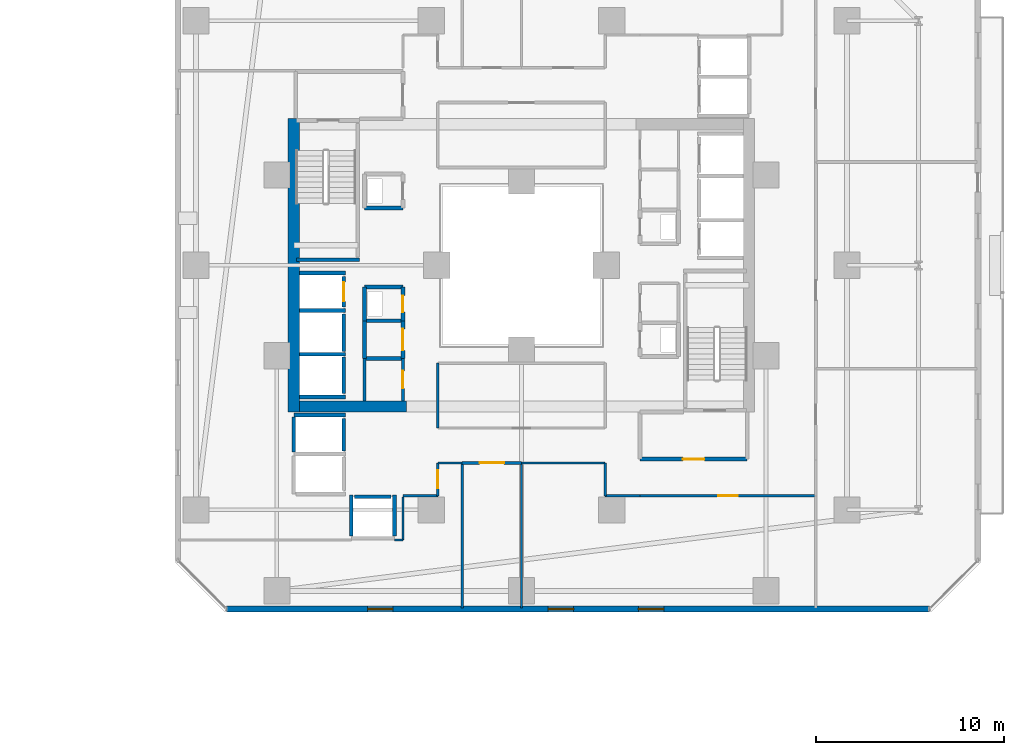
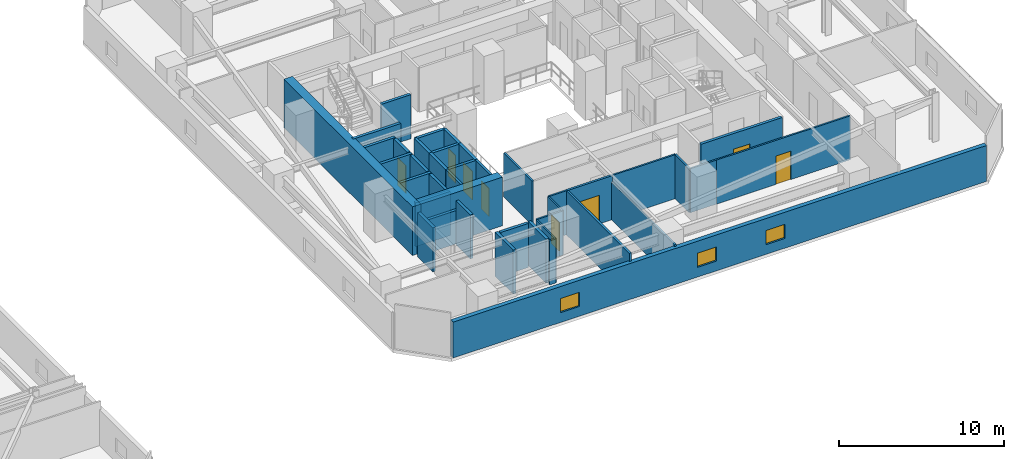
# One storey, part 25 of 36: 41 walls, 8 doors, 3 windows, 11 openings.
"""IFC4 building model written with IfcOpenShell, lengths in metres."""

from ifc_helpers import new_model, si_unit, direction, frame, frame_2d, origin, place, context, subcontext, project, spatial, rectangle, extrude, material, layer, layer_set, type_object, element, fill, save


model = new_model("IFC4")

# Units and contexts
model_context = context("Model", 3, precision=1e-05, world=origin(), true_north=direction((0.0, 1.0)))
body_context = subcontext(model_context, "Body", "Model", "MODEL_VIEW")
ifc_project = project(units=[si_unit("LENGTHUNIT", "METRE"), si_unit("AREAUNIT", "SQUARE_METRE"), si_unit("VOLUMEUNIT", "CUBIC_METRE"), si_unit("PLANEANGLEUNIT", "RADIAN"), si_unit("MASSUNIT", "GRAM", prefix="KILO")], contexts=[model_context])

# Site, building, storey
site_placement = place(None, origin())
site = spatial("IfcSite", under=ifc_project, at=site_placement, CompositionType="ELEMENT")
building_placement = place(site_placement, origin())
building = spatial("IfcBuilding", under=site, at=building_placement, Name="Thornwick Lancets Civic Towers", CompositionType="ELEMENT")
storey_placement = place(building_placement, frame((0.0, 0.0, 68.10009765625)))
storey = spatial("IfcBuildingStorey", under=building, at=storey_placement, Name="L17", CompositionType="ELEMENT", Elevation=68.10009765625)

# Wall, opening, door
ifc_material_1 = material(Name="Concrete blockwork C40/50", Category="masonry")
ifc_layer_1 = layer(ifc_material_1, 0.199951171875, Name="Concrete blockwork C40/50")
ifc_layer_set_1 = layer_set([ifc_layer_1], Name="Concrete blockwork C40/50")
wall_type_1 = type_object("IfcWallType", Name="WALL_COMP_200", PredefinedType="STANDARD", material=ifc_layer_set_1)
wall_1_placement = place(storey_placement, frame((79.050048828125, 24.780029296875, 0.0), z_axis=(0.0, 0.0, 1.0), x_axis=(0.0, 1.0, 0.0)))
wall_1 = element("IfcWall", 1, at=wall_1_placement, inside=storey, type_object=wall_type_1, Name="L17 Hoistway Front Wall FL-B2", PredefinedType="STANDARD", context=body_context, shape_type="SweptSolid", body=[
    extrude(rectangle(XDim=1.639892578125, YDim=0.199951171875, at=frame_2d((0.81982421875, 0.0))), origin(), (0.0, 0.0, 1.0), 3.260009765625),
])
opening_1_placement = place(wall_1_placement, frame((0.31005859375, 0.0, 0.0)))
opening_1 = element("IfcOpeningElement", 2, at=opening_1_placement, cuts=wall_1, Name="Opening LD-FL-B2", PredefinedType="OPENING", context=body_context, shape_type="SweptSolid", body=[
    extrude(rectangle(XDim=1.02001953125, YDim=2.06005859375, at=frame_2d((0.510009765625, 1.030029296875))), frame((0.0, 0.10986328125, 0.0), z_axis=(0.0, -1.0, 0.0), x_axis=(1.0, 0.0, 0.0)), (0.0, 0.0, 1.0), 0.219970703125),
])
ifc_material_2 = material(Name="Brushed bronze stainless steel", Category="steel")
door_type_1 = type_object("IfcDoorType", Name="DOOR_LIFT_SLIDE", OperationType="SLIDING_TO_LEFT", PredefinedType="DOOR", material=ifc_material_2)
door_1_placement = place(opening_1_placement, origin())
door_1 = element("IfcDoor", 3, at=door_1_placement, inside=storey, type_object=door_type_1, Name="L17 Sliding Lift Landing Door LD-FL-B2", OperationType="SLIDING_TO_LEFT", OverallHeight=2.06005859375, OverallWidth=1.02001953125, PredefinedType="DOOR", context=body_context, shape_type="SweptSolid", body=[
    extrude(rectangle(XDim=1.02001953125, YDim=2.06005859375, at=frame_2d((0.510009765625, 1.030029296875))), frame((0.0, 0.02490234375, 0.0), z_axis=(0.0, -1.0, 0.0), x_axis=(1.0, 0.0, 0.0)), (0.0, 0.0, 1.0), 0.050048828125),
])
fill(opening_1, door_1)

# Walls
wall_2_placement = place(storey_placement, frame((79.050048828125, 22.429931640625, 0.0), z_axis=(0.0, 0.0, 1.0), x_axis=(0.0, 1.0, 0.0)))
element("IfcWall", 4, at=wall_2_placement, inside=storey, type_object=wall_type_1, Name="L17 Hoistway Front Wall PL-BH2", PredefinedType="STANDARD", context=body_context, shape_type="SweptSolid", body=[
    extrude(rectangle(XDim=1.989990234375, YDim=0.199951171875, at=frame_2d((0.9951171875, 0.0))), origin(), (0.0, 0.0, 1.0), 3.260009765625),
])
wall_3_placement = place(storey_placement, frame((79.050048828125, 20.179931640625, 0.0), z_axis=(0.0, 0.0, 1.0), x_axis=(0.0, 1.0, 0.0)))
element("IfcWall", 5, at=wall_3_placement, inside=storey, type_object=wall_type_1, Name="L17 Hoistway Front Wall PL-BH3", PredefinedType="STANDARD", context=body_context, shape_type="SweptSolid", body=[
    extrude(rectangle(XDim=1.940185546875, YDim=0.199951171875, at=frame_2d((0.97021484375, 0.0))), origin(), (0.0, 0.0, 1.0), 3.260009765625),
])
wall_4_placement = place(storey_placement, frame((79.050048828125, 17.1298828125, 0.0), z_axis=(0.0, 0.0, 1.0), x_axis=(0.0, 1.0, 0.0)))
element("IfcWall", 6, at=wall_4_placement, inside=storey, type_object=wall_type_1, Name="L17 Hoistway Front Wall PL-BM1", PredefinedType="STANDARD", context=body_context, shape_type="SweptSolid", body=[
    extrude(rectangle(XDim=1.740234375, YDim=0.199951171875, at=frame_2d((0.8701171875, 0.0))), origin(), (0.0, 0.0, 1.0), 3.260009765625),
])
wall_5_placement = place(storey_placement, frame((79.6298828125, 14.699951171875, 0.0), z_axis=(0.0, 0.0, 1.0), x_axis=(1.0, 0.0, 0.0)))
element("IfcWall", 7, at=wall_5_placement, inside=storey, type_object=wall_type_1, Name="L17 Hoistway Front Wall PL-BM3", PredefinedType="STANDARD", context=body_context, shape_type="SweptSolid", body=[
    extrude(rectangle(XDim=1.940185546875, YDim=0.199951171875, at=frame_2d((0.97021484375, 0.0))), origin(), (0.0, 0.0, 1.0), 3.260009765625),
])
for number, where, z_axis, x_axis, name in (
    (8, (76.7119140625, 26.60009765625, 0.0), (0.0, 0.0, 1.0), (1.0, 0.0, 0.0), "L17 Hoistway Shaft Wall FL-B2 N"),
    (9, (76.7119140625, 24.60009765625, 0.0), (0.0, 0.0, 1.0), (1.0, 0.0, 0.0), "L17 Hoistway Shaft Wall FL-B2 S"),
    (10, (76.7119140625, 22.27490234375, 0.0), (0.0, 0.0, 1.0), (1.0, 0.0, 0.0), "L17 Hoistway Shaft Wall PL-BH2 S"),
    (11, (76.7119140625, 20.0, 0.0), (0.0, 0.0, 1.0), (1.0, 0.0, 0.0), "L17 Hoistway Shaft Wall PL-BH3 S"),
):
    element("IfcWall", number, at=place(storey_placement, frame(where, z_axis=z_axis, x_axis=x_axis)), inside=storey, type_object=wall_type_1, Name=name, PredefinedType="STANDARD", context=body_context, shape_type="SweptSolid", body=[
        extrude(rectangle(XDim=2.43603515625, YDim=0.199951171875, at=frame_2d((1.218017578125, 0.0))), origin(), (0.0, 0.0, 1.0), 3.260009765625),
    ])
wall_6_placement = place(storey_placement, frame((76.402099609375, 19.050048828125, 0.0), z_axis=(0.0, 0.0, 1.0), x_axis=(1.0, 0.0, 0.0)))
element("IfcWall", 12, at=wall_6_placement, inside=storey, type_object=wall_type_1, Name="L17 Hoistway Shaft Wall PL-BM1 N", PredefinedType="STANDARD", context=body_context, shape_type="SweptSolid", body=[
    extrude(rectangle(XDim=2.745849609375, YDim=0.199951171875, at=frame_2d((1.373046875, 0.0))), origin(), (0.0, 0.0, 1.0), 2.46484375),
])
wall_7_placement = place(storey_placement, frame((76.39990234375, 17.08203125, 0.0), z_axis=(0.0, 0.0, 1.0), x_axis=(0.0, 1.0, 0.0)))
element("IfcWall", 13, at=wall_7_placement, inside=storey, type_object=wall_type_1, Name="L17 Hoistway Shaft Wall PL-BM1 W", PredefinedType="STANDARD", context=body_context, shape_type="SweptSolid", body=[
    extrude(rectangle(XDim=1.85595703125, YDim=0.199951171875, at=frame_2d((0.927978515625, 0.0))), origin(), (0.0, 0.0, 1.0), 3.260009765625),
])
for number, where, z_axis, x_axis, name in (
    (14, (81.75, 12.612060546875, 0.0), (0.0, 0.0, 1.0), (0.0, 1.0, 0.0), "L17 Hoistway Shaft Wall PL-BM3 E"),
    (15, (79.449951171875, 12.612060546875, 0.0), (0.0, 0.0, 1.0), (0.0, 1.0, 0.0), "L17 Hoistway Shaft Wall PL-BM3 W"),
):
    element("IfcWall", number, at=place(storey_placement, frame(where, z_axis=z_axis, x_axis=x_axis)), inside=storey, type_object=wall_type_1, Name=name, PredefinedType="STANDARD", context=body_context, shape_type="SweptSolid", body=[
        extrude(rectangle(XDim=2.18603515625, YDim=0.199951171875, at=frame_2d((1.093017578125, 0.0))), origin(), (0.0, 0.0, 1.0), 3.260009765625),
    ])

# Wall, opening, door
wall_8_placement = place(storey_placement, frame((94.800048828125, 16.699951171875, 0.0), z_axis=(0.0, 0.0, 1.0), x_axis=(1.0, 0.0, 0.0)))
wall_8 = element("IfcWall", 16, at=wall_8_placement, inside=storey, type_object=wall_type_1, Name="L17 Partition L17-B-FFLOB1 E1", PredefinedType="STANDARD", context=body_context, shape_type="SweptSolid", body=[
    extrude(rectangle(XDim=5.699951171875, YDim=0.199951171875, at=frame_2d((2.85009765625, 0.0))), origin(), (0.0, 0.0, 1.0), 3.260009765625),
])
opening_2_placement = place(wall_8_placement, frame((2.27490234375, 0.0, 0.0)))
opening_2 = element("IfcOpeningElement", 17, at=opening_2_placement, cuts=wall_8, Name="Opening D-L17-0812", PredefinedType="OPENING", context=body_context, shape_type="SweptSolid", body=[
    extrude(rectangle(XDim=1.14990234375, YDim=2.10009765625, at=frame_2d((0.574951171875, 1.050048828125))), frame((0.0, 0.10986328125, 0.0), z_axis=(0.0, -1.0, 0.0), x_axis=(1.0, 0.0, 0.0)), (0.0, 0.0, 1.0), 0.219970703125),
])
ifc_material_3 = material(Name="Glazed fire-resisting steel", Category="steel")
door_type_2 = type_object("IfcDoorType", Name="DOOR_LOBBY_FD60", OperationType="NOTDEFINED", PredefinedType="DOOR", material=ifc_material_3)
door_2_placement = place(opening_2_placement, origin())
door_2 = element("IfcDoor", 18, at=door_2_placement, inside=storey, type_object=door_type_2, Name="L17 East Firefighting Lobby 1 Door", OperationType="SINGLE_SWING_LEFT", OverallHeight=2.10009765625, OverallWidth=1.14990234375, PredefinedType="DOOR", context=body_context, shape_type="SweptSolid", body=[
    extrude(rectangle(XDim=1.14990234375, YDim=2.10009765625, at=frame_2d((0.574951171875, 1.050048828125))), frame((0.0, 0.02490234375, 0.0), z_axis=(0.0, -1.0, 0.0), x_axis=(1.0, 0.0, 0.0)), (0.0, 0.0, 1.0), 0.050048828125),
])
fill(opening_2, door_2)

# Wall
wall_9_placement = place(storey_placement, frame((80.14990234375, 24.050048828125, 0.0), z_axis=(0.0, 0.0, 1.0), x_axis=(1.0, 0.0, 0.0)))
element("IfcWall", 19, at=wall_9_placement, inside=storey, type_object=wall_type_1, Name="L17 Partition L17-B-DUCT2 E1", PredefinedType="STANDARD", context=body_context, shape_type="SweptSolid", body=[
    extrude(rectangle(XDim=2.050048828125, YDim=0.199951171875, at=frame_2d((1.02490234375, 0.0))), origin(), (0.0, 0.0, 1.0), 3.260009765625),
])

# Wall, opening, door
wall_10_placement = place(storey_placement, frame((82.199951171875, 24.050048828125, 0.0), z_axis=(0.0, 0.0, 1.0), x_axis=(0.0, 1.0, 0.0)))
wall_10 = element("IfcWall", 20, at=wall_10_placement, inside=storey, type_object=wall_type_1, Name="L17 Partition L17-B-DUCT2 E2", PredefinedType="STANDARD", context=body_context, shape_type="SweptSolid", body=[
    extrude(rectangle(XDim=1.800048828125, YDim=0.199951171875, at=frame_2d((0.89990234375, 0.0))), origin(), (0.0, 0.0, 1.0), 3.260009765625),
])
opening_3_placement = place(wall_10_placement, frame((0.4599609375, 0.0, 0.0)))
opening_3 = element("IfcOpeningElement", 21, at=opening_3_placement, cuts=wall_10, Name="Opening D-L17-0816", PredefinedType="OPENING", context=body_context, shape_type="SweptSolid", body=[
    extrude(rectangle(XDim=0.8798828125, YDim=2.0400390625, at=frame_2d((0.43994140625, 1.02001953125))), frame((0.0, 0.10986328125, 0.0), z_axis=(0.0, -1.0, 0.0), x_axis=(1.0, 0.0, 0.0)), (0.0, 0.0, 1.0), 0.219970703125),
])
ifc_material_4 = material(Name="Steel riser access doorset", Category="steel")
door_type_3 = type_object("IfcDoorType", Name="DOOR_RISER_850", OperationType="NOTDEFINED", PredefinedType="DOOR", material=ifc_material_4)
door_3_placement = place(opening_3_placement, origin())
door_3 = element("IfcDoor", 22, at=door_3_placement, inside=storey, type_object=door_type_3, Name="L17 West Service Duct 2 Door", OperationType="SINGLE_SWING_LEFT", OverallHeight=2.0400390625, OverallWidth=0.8798828125, PredefinedType="DOOR", context=body_context, shape_type="SweptSolid", body=[
    extrude(rectangle(XDim=0.8798828125, YDim=2.0400390625, at=frame_2d((0.43994140625, 1.02001953125))), frame((0.0, 0.02490234375, 0.0), z_axis=(0.0, -1.0, 0.0), x_axis=(1.0, 0.0, 0.0)), (0.0, 0.0, 1.0), 0.050048828125),
])
fill(opening_3, door_3)

# Walls
wall_11_placement = place(storey_placement, frame((82.199951171875, 25.85009765625, 0.0), z_axis=(0.0, 0.0, 1.0), x_axis=(-1.0, 0.0, 0.0)))
element("IfcWall", 23, at=wall_11_placement, inside=storey, type_object=wall_type_1, Name="L17 Partition L17-B-DUCT2 E3", PredefinedType="STANDARD", context=body_context, shape_type="SweptSolid", body=[
    extrude(rectangle(XDim=2.050048828125, YDim=0.199951171875, at=frame_2d((1.02490234375, 0.0))), origin(), (0.0, 0.0, 1.0), 3.260009765625),
])
wall_12_placement = place(storey_placement, frame((80.14990234375, 25.85009765625, 0.0), z_axis=(0.0, 0.0, 1.0), x_axis=(0.0, -1.0, 0.0)))
element("IfcWall", 24, at=wall_12_placement, inside=storey, type_object=wall_type_1, Name="L17 Partition L17-B-DUCT2 E4", PredefinedType="STANDARD", context=body_context, shape_type="SweptSolid", body=[
    extrude(rectangle(XDim=1.800048828125, YDim=0.199951171875, at=frame_2d((0.89990234375, 0.0))), origin(), (0.0, 0.0, 1.0), 3.260009765625),
])
wall_13_placement = place(storey_placement, frame((80.14990234375, 30.050048828125, 0.0), z_axis=(0.0, 0.0, 1.0), x_axis=(1.0, 0.0, 0.0)))
element("IfcWall", 25, at=wall_13_placement, inside=storey, type_object=wall_type_1, Name="L17 Partition L17-B-RISER2 E1", PredefinedType="STANDARD", context=body_context, shape_type="SweptSolid", body=[
    extrude(rectangle(XDim=2.050048828125, YDim=0.199951171875, at=frame_2d((1.02490234375, 0.0))), origin(), (0.0, 0.0, 1.0), 3.260009765625),
])
wall_14_placement = place(storey_placement, frame((80.14990234375, 22.050048828125, 0.0), z_axis=(0.0, 0.0, 1.0), x_axis=(0.0, 1.0, 0.0)))
element("IfcWall", 26, at=wall_14_placement, inside=storey, type_object=wall_type_1, Name="L17 Partition L17-B-STR E1", PredefinedType="STANDARD", context=body_context, shape_type="SweptSolid", body=[
    extrude(rectangle(XDim=2.0, YDim=0.199951171875, at=frame_2d((1.0, 0.0))), origin(), (0.0, 0.0, 1.0), 3.260009765625),
])

# Wall, opening, door
wall_15_placement = place(storey_placement, frame((82.199951171875, 24.050048828125, 0.0), z_axis=(0.0, 0.0, 1.0), x_axis=(0.0, -1.0, 0.0)))
wall_15 = element("IfcWall", 27, at=wall_15_placement, inside=storey, type_object=wall_type_1, Name="L17 Partition L17-B-STR E3", PredefinedType="STANDARD", context=body_context, shape_type="SweptSolid", body=[
    extrude(rectangle(XDim=2.0, YDim=0.199951171875, at=frame_2d((1.0, 0.0))), origin(), (0.0, 0.0, 1.0), 3.260009765625),
])
opening_4_placement = place(wall_15_placement, frame((0.425048828125, 0.0, 0.0)))
opening_4 = element("IfcOpeningElement", 28, at=opening_4_placement, cuts=wall_15, Name="Opening D-L17-0822", PredefinedType="OPENING", context=body_context, shape_type="SweptSolid", body=[
    extrude(rectangle(XDim=1.14990234375, YDim=2.10009765625, at=frame_2d((0.574951171875, 1.050048828125))), frame((0.0, 0.10986328125, 0.0), z_axis=(0.0, -1.0, 0.0), x_axis=(1.0, 0.0, 0.0)), (0.0, 0.0, 1.0), 0.219970703125),
])
door_4_placement = place(opening_4_placement, origin())
door_4 = element("IfcDoor", 29, at=door_4_placement, inside=storey, type_object=door_type_2, Name="L17 Tower B Core Records Store Door", OperationType="SINGLE_SWING_LEFT", OverallHeight=2.10009765625, OverallWidth=1.14990234375, PredefinedType="DOOR", context=body_context, shape_type="SweptSolid", body=[
    extrude(rectangle(XDim=1.14990234375, YDim=2.10009765625, at=frame_2d((0.574951171875, 1.050048828125))), frame((0.0, 0.02490234375, 0.0), z_axis=(0.0, -1.0, 0.0), x_axis=(1.0, 0.0, 0.0)), (0.0, 0.0, 1.0), 0.050048828125),
])
fill(opening_4, door_4)

# Walls
wall_16_placement = place(storey_placement, frame((82.199951171875, 22.050048828125, 0.0), z_axis=(0.0, 0.0, 1.0), x_axis=(-1.0, 0.0, 0.0)))
element("IfcWall", 30, at=wall_16_placement, inside=storey, type_object=wall_type_1, Name="L17 Partition L17-B-STR E4", PredefinedType="STANDARD", context=body_context, shape_type="SweptSolid", body=[
    extrude(rectangle(XDim=2.050048828125, YDim=0.199951171875, at=frame_2d((1.02490234375, 0.0))), origin(), (0.0, 0.0, 1.0), 3.260009765625),
])
ifc_material_5 = material(Name="Concrete C60/75", Category="concrete")
ifc_layer_2 = layer(ifc_material_5, 0.60009765625, Name="Concrete C60/75")
ifc_layer_set_2 = layer_set([ifc_layer_2], Name="Concrete C60/75")
wall_type_2 = type_object("IfcWallType", Name="WALL_CORE_600", PredefinedType="SHEAR", material=ifc_layer_set_2)
wall_17_placement = place(storey_placement, frame((76.39990234375, 19.199951171875, 0.0), z_axis=(0.0, 0.0, 1.0), x_axis=(0.0, 1.0, 0.0)))
element("IfcWall", 31, at=wall_17_placement, inside=storey, type_object=wall_type_2, Name="L17 Split Core B2 Shear Wall W", PredefinedType="SHEAR", context=body_context, shape_type="SweptSolid", body=[
    extrude(rectangle(XDim=15.60009765625, YDim=0.60009765625, at=frame_2d((7.800048828125, 0.0))), origin(), (0.0, 0.0, 1.0), 3.599853515625),
])
wall_18_placement = place(storey_placement, frame((76.699951171875, 19.5, 0.0), z_axis=(0.0, 0.0, 1.0), x_axis=(1.0, 0.0, 0.0)))
element("IfcWall", 32, at=wall_18_placement, inside=storey, type_object=wall_type_2, Name="L17 Split Core B2 Shear Wall S", PredefinedType="SHEAR", context=body_context, shape_type="SweptSolid", body=[
    extrude(rectangle(XDim=5.699951171875, YDim=0.60009765625, at=frame_2d((2.85009765625, 0.0))), origin(), (0.0, 0.0, 1.0), 3.599853515625),
])

# Wall, openings, windows
ifc_material_6 = material(Name="Insulated russet terracotta rainscreen on concrete C40/50", Category="masonry")
ifc_layer_3 = layer(ifc_material_6, 0.300048828125, Name="Insulated russet terracotta rainscreen on concrete C40/50")
ifc_layer_set_3 = layer_set([ifc_layer_3], Name="Insulated russet terracotta rainscreen on concrete C40/50")
wall_type_3 = type_object("IfcWallType", Name="WALL_EXT_RUSSET_300", PredefinedType="STANDARD", material=ifc_layer_set_3)
wall_19_placement = place(storey_placement, frame((72.81884765625, 8.735107421875, 0.0), z_axis=(0.0, 0.0, 1.0), x_axis=(1.0, 0.0, 0.0)))
wall_19 = element("IfcWall", 33, at=wall_19_placement, inside=storey, type_object=wall_type_3, Name="L17 Tower B Terracotta Facade Wall E0", PredefinedType="STANDARD", context=body_context, shape_type="SweptSolid", body=[
    extrude(rectangle(XDim=37.3623046875, YDim=0.300048828125, at=frame_2d((18.68115234375, 0.0))), origin(), (0.0, 0.0, 1.0), 2.659912109375),
])
opening_5_placement = place(wall_19_placement, frame((7.5, 0.0, 0.719970703125)))
opening_5 = element("IfcOpeningElement", 34, at=opening_5_placement, cuts=wall_19, Name="Opening WL-03", PredefinedType="OPENING", context=body_context, shape_type="SweptSolid", body=[
    extrude(rectangle(XDim=1.35009765625, YDim=1.050048828125, at=frame_2d((0.675048828125, 0.52490234375))), frame((0.0, 0.16015625, 0.0), z_axis=(0.0, -1.0, 0.0), x_axis=(1.0, 0.0, 0.0)), (0.0, 0.0, 1.0), 0.320068359375),
])
opening_6_placement = place(wall_19_placement, frame((17.10009765625, 0.0, 0.719970703125)))
opening_6 = element("IfcOpeningElement", 35, at=opening_6_placement, cuts=wall_19, Name="Opening WL-03", PredefinedType="OPENING", context=body_context, shape_type="SweptSolid", body=[
    extrude(rectangle(XDim=1.35009765625, YDim=1.050048828125, at=frame_2d((0.675048828125, 0.52490234375))), frame((0.0, 0.16015625, 0.0), z_axis=(0.0, -1.0, 0.0), x_axis=(1.0, 0.0, 0.0)), (0.0, 0.0, 1.0), 0.320068359375),
])
opening_7_placement = place(wall_19_placement, frame((21.89990234375, 0.0, 0.719970703125)))
opening_7 = element("IfcOpeningElement", 36, at=opening_7_placement, cuts=wall_19, Name="Opening WL-03", PredefinedType="OPENING", context=body_context, shape_type="SweptSolid", body=[
    extrude(rectangle(XDim=1.35009765625, YDim=1.050048828125, at=frame_2d((0.675048828125, 0.52490234375))), frame((0.0, 0.16015625, 0.0), z_axis=(0.0, -1.0, 0.0), x_axis=(1.0, 0.0, 0.0)), (0.0, 0.0, 1.0), 0.320068359375),
])
ifc_material_7 = material(Name="Clear low-e double glazing clerestory lancet", Category="glass")
window_type = type_object("IfcWindowType", Name="WIN_LANCET_1350", PartitioningType="SINGLE_PANEL", PredefinedType="WINDOW", material=ifc_material_7)
window_1_placement = place(opening_5_placement, origin())
window_1 = element("IfcWindow", 37, at=window_1_placement, inside=storey, type_object=window_type, Name="L17 Tower B Staggered Lancet Window E0-1", OverallHeight=1.050048828125, OverallWidth=1.35009765625, PartitioningType="SINGLE_PANEL", PredefinedType="WINDOW", context=body_context, shape_type="SweptSolid", body=[
    extrude(rectangle(XDim=1.35009765625, YDim=1.050048828125, at=frame_2d((0.675048828125, 0.52490234375))), frame((0.0, 0.030029296875, 0.0), z_axis=(0.0, -1.0, 0.0), x_axis=(1.0, 0.0, 0.0)), (0.0, 0.0, 1.0), 0.06005859375),
])
fill(opening_5, window_1)
window_2_placement = place(opening_6_placement, origin())
window_2 = element("IfcWindow", 38, at=window_2_placement, inside=storey, type_object=window_type, Name="L17 Tower B Staggered Lancet Window E0-2", OverallHeight=1.050048828125, OverallWidth=1.35009765625, PartitioningType="SINGLE_PANEL", PredefinedType="WINDOW", context=body_context, shape_type="SweptSolid", body=[
    extrude(rectangle(XDim=1.35009765625, YDim=1.050048828125, at=frame_2d((0.675048828125, 0.52490234375))), frame((0.0, 0.030029296875, 0.0), z_axis=(0.0, -1.0, 0.0), x_axis=(1.0, 0.0, 0.0)), (0.0, 0.0, 1.0), 0.06005859375),
])
fill(opening_6, window_2)
window_3_placement = place(opening_7_placement, origin())
window_3 = element("IfcWindow", 39, at=window_3_placement, inside=storey, type_object=window_type, Name="L17 Tower B Staggered Lancet Window E0-3", OverallHeight=1.050048828125, OverallWidth=1.35009765625, PartitioningType="SINGLE_PANEL", PredefinedType="WINDOW", context=body_context, shape_type="SweptSolid", body=[
    extrude(rectangle(XDim=1.35009765625, YDim=1.050048828125, at=frame_2d((0.675048828125, 0.52490234375))), frame((0.0, 0.030029296875, 0.0), z_axis=(0.0, -1.0, 0.0), x_axis=(1.0, 0.0, 0.0)), (0.0, 0.0, 1.0), 0.06005859375),
])
fill(opening_7, window_3)

# Walls
ifc_material_8 = material(Name="Acoustic gypsum board partition")
ifc_layer_4 = layer(ifc_material_8, 0.1201171875, Name="Acoustic gypsum board partition")
ifc_layer_set_4 = layer_set([ifc_layer_4], Name="Acoustic gypsum board partition")
wall_type_4 = type_object("IfcWallType", Name="WALL_PART_120", PredefinedType="PARTITIONING", material=ifc_layer_set_4)
wall_20_placement = place(storey_placement, frame((92.949951171875, 16.5, 0.0), z_axis=(0.0, 0.0, 1.0), x_axis=(0.0, -1.0, 0.0)))
element("IfcWall", 40, at=wall_20_placement, inside=storey, type_object=wall_type_4, Name="L17 Partition L17-B-W1 E1", PredefinedType="PARTITIONING", context=body_context, shape_type="SweptSolid", body=[
    extrude(rectangle(XDim=1.75, YDim=0.1201171875, at=frame_2d((0.875, 0.0))), origin(), (0.0, 0.0, 1.0), 3.260009765625),
])
wall_21_placement = place(storey_placement, frame((92.949951171875, 14.75, 0.0), z_axis=(0.0, 0.0, 1.0), x_axis=(1.0, 0.0, 0.0)))
element("IfcWall", 41, at=wall_21_placement, inside=storey, type_object=wall_type_4, Name="L17 Partition L17-B-W1 E2", PredefinedType="PARTITIONING", context=body_context, shape_type="SweptSolid", body=[
    extrude(rectangle(XDim=1.85009765625, YDim=0.1201171875, at=frame_2d((0.925048828125, 0.0))), origin(), (0.0, 0.0, 1.0), 3.260009765625),
])

# Wall, opening, door
wall_22_placement = place(storey_placement, frame((94.800048828125, 14.75, 0.0), z_axis=(0.0, 0.0, 1.0), x_axis=(1.0, 0.0, 0.0)))
wall_22 = element("IfcWall", 42, at=wall_22_placement, inside=storey, type_object=wall_type_4, Name="L17 Partition L17-B-W1 E3", PredefinedType="PARTITIONING", context=body_context, shape_type="SweptSolid", body=[
    extrude(rectangle(XDim=9.349853515625, YDim=0.1201171875, at=frame_2d((4.6748046875, 0.0))), origin(), (0.0, 0.0, 1.0), 3.260009765625),
])
opening_8_placement = place(wall_22_placement, frame((4.14990234375, 0.0, 0.0)))
opening_8 = element("IfcOpeningElement", 43, at=opening_8_placement, cuts=wall_22, Name="Opening D-L17-0834", PredefinedType="OPENING", context=body_context, shape_type="SweptSolid", body=[
    extrude(rectangle(XDim=1.050048828125, YDim=2.10009765625, at=frame_2d((0.52490234375, 1.050048828125))), frame((0.0, 0.070068359375, 0.0), z_axis=(0.0, -1.0, 0.0), x_axis=(1.0, 0.0, 0.0)), (0.0, 0.0, 1.0), 0.14013671875),
])
ifc_material_9 = material(Name="Glazed European oak executive doorset")
door_type_4 = type_object("IfcDoorType", Name="DOOR_OFFICE_1050", OperationType="NOTDEFINED", PredefinedType="DOOR", material=ifc_material_9)
door_5_placement = place(opening_8_placement, origin())
door_5 = element("IfcDoor", 44, at=door_5_placement, inside=storey, type_object=door_type_4, Name="L17 Tower B Ministry Directorate Office W1 Door", OperationType="SINGLE_SWING_LEFT", OverallHeight=2.10009765625, OverallWidth=1.050048828125, PredefinedType="DOOR", context=body_context, shape_type="SweptSolid", body=[
    extrude(rectangle(XDim=1.050048828125, YDim=2.10009765625, at=frame_2d((0.52490234375, 1.050048828125))), frame((0.0, 0.02490234375, 0.0), z_axis=(0.0, -1.0, 0.0), x_axis=(1.0, 0.0, 0.0)), (0.0, 0.0, 1.0), 0.050048828125),
])
fill(opening_8, door_5)

# Walls
wall_23_placement = place(storey_placement, frame((88.5, 8.780029296875, 0.0), z_axis=(0.0, 0.0, 1.0), x_axis=(0.0, 1.0, 0.0)))
element("IfcWall", 45, at=wall_23_placement, inside=storey, type_object=wall_type_4, Name="L17 Partition L17-B-W1 E6", PredefinedType="PARTITIONING", context=body_context, shape_type="SweptSolid", body=[
    extrude(rectangle(XDim=7.719970703125, YDim=0.1201171875, at=frame_2d((3.85986328125, 0.0))), origin(), (0.0, 0.0, 1.0), 2.797607421875),
])
wall_24_placement = place(storey_placement, frame((88.5, 16.5, 0.0), z_axis=(0.0, 0.0, 1.0), x_axis=(1.0, 0.0, 0.0)))
element("IfcWall", 46, at=wall_24_placement, inside=storey, type_object=wall_type_4, Name="L17 Partition L17-B-W1 E7", PredefinedType="PARTITIONING", context=body_context, shape_type="SweptSolid", body=[
    extrude(rectangle(XDim=4.449951171875, YDim=0.1201171875, at=frame_2d((2.22509765625, 0.0))), origin(), (0.0, 0.0, 1.0), 3.260009765625),
])
wall_25_placement = place(storey_placement, frame((82.199951171875, 14.75, 0.0), z_axis=(0.0, 0.0, 1.0), x_axis=(1.0, 0.0, 0.0)))
element("IfcWall", 47, at=wall_25_placement, inside=storey, type_object=wall_type_4, Name="L17 Partition L17-B-W3 E2", PredefinedType="PARTITIONING", context=body_context, shape_type="SweptSolid", body=[
    extrude(rectangle(XDim=1.85009765625, YDim=0.1201171875, at=frame_2d((0.925048828125, 0.0))), origin(), (0.0, 0.0, 1.0), 3.260009765625),
])

# Wall, opening, door
wall_26_placement = place(storey_placement, frame((84.050048828125, 14.75, 0.0), z_axis=(0.0, 0.0, 1.0), x_axis=(0.0, 1.0, 0.0)))
wall_26 = element("IfcWall", 48, at=wall_26_placement, inside=storey, type_object=wall_type_4, Name="L17 Partition L17-B-W3 E3", PredefinedType="PARTITIONING", context=body_context, shape_type="SweptSolid", body=[
    extrude(rectangle(XDim=1.75, YDim=0.1201171875, at=frame_2d((0.875, 0.0))), origin(), (0.0, 0.0, 1.0), 3.260009765625),
])
opening_9_placement = place(wall_26_placement, frame((0.39990234375, 0.0, 0.0)))
opening_9 = element("IfcOpeningElement", 49, at=opening_9_placement, cuts=wall_26, Name="Opening D-L17-0836", PredefinedType="OPENING", context=body_context, shape_type="SweptSolid", body=[
    extrude(rectangle(XDim=0.949951171875, YDim=2.10009765625, at=frame_2d((0.47509765625, 1.050048828125))), frame((0.0, 0.070068359375, 0.0), z_axis=(0.0, -1.0, 0.0), x_axis=(1.0, 0.0, 0.0)), (0.0, 0.0, 1.0), 0.14013671875),
])
ifc_material_10 = material(Name="European oak acoustic doorset")
door_type_5 = type_object("IfcDoorType", Name="DOOR_OFFICE_950", OperationType="NOTDEFINED", PredefinedType="DOOR", material=ifc_material_10)
door_6_placement = place(opening_9_placement, origin())
door_6 = element("IfcDoor", 50, at=door_6_placement, inside=storey, type_object=door_type_5, Name="L17 Tower B Staff Tea Pantry and Lounge Door", OperationType="SINGLE_SWING_LEFT", OverallHeight=2.10009765625, OverallWidth=0.949951171875, PredefinedType="DOOR", context=body_context, shape_type="SweptSolid", body=[
    extrude(rectangle(XDim=0.949951171875, YDim=2.10009765625, at=frame_2d((0.47509765625, 1.050048828125))), frame((0.0, 0.02490234375, 0.0), z_axis=(0.0, -1.0, 0.0), x_axis=(1.0, 0.0, 0.0)), (0.0, 0.0, 1.0), 0.050048828125),
])
fill(opening_9, door_6)

# Walls
wall_27_placement = place(storey_placement, frame((84.050048828125, 16.5, 0.0), z_axis=(0.0, 0.0, 1.0), x_axis=(1.0, 0.0, 0.0)))
element("IfcWall", 51, at=wall_27_placement, inside=storey, type_object=wall_type_4, Name="L17 Partition L17-B-W3 E4", PredefinedType="PARTITIONING", context=body_context, shape_type="SweptSolid", body=[
    extrude(rectangle(XDim=1.300048828125, YDim=0.1201171875, at=frame_2d((0.64990234375, 0.0))), origin(), (0.0, 0.0, 1.0), 3.260009765625),
])
wall_28_placement = place(storey_placement, frame((81.748046875, 12.39990234375, 0.0), z_axis=(0.0, 0.0, 1.0), x_axis=(1.0, 0.0, 0.0)))
element("IfcWall", 52, at=wall_28_placement, inside=storey, type_object=wall_type_4, Name="L17 Partition L17-B-W3 E9", PredefinedType="PARTITIONING", context=body_context, shape_type="SweptSolid", body=[
    extrude(rectangle(XDim=0.451904296875, YDim=0.1201171875, at=frame_2d((0.22607421875, 0.0))), origin(), (0.0, 0.0, 1.0), 3.260009765625),
])
wall_29_placement = place(storey_placement, frame((82.199951171875, 12.39990234375, 0.0), z_axis=(0.0, 0.0, 1.0), x_axis=(0.0, 1.0, 0.0)))
element("IfcWall", 53, at=wall_29_placement, inside=storey, type_object=wall_type_4, Name="L17 Partition L17-B-W3 E10", PredefinedType="PARTITIONING", context=body_context, shape_type="SweptSolid", body=[
    extrude(rectangle(XDim=2.300048828125, YDim=0.1201171875, at=frame_2d((1.14990234375, 0.0))), origin(), (0.0, 0.0, 1.0), 3.260009765625),
])
wall_30_placement = place(storey_placement, frame((84.050048828125, 18.35009765625, 0.0), z_axis=(0.0, 0.0, 1.0), x_axis=(0.0, 1.0, 0.0)))
element("IfcWall", 54, at=wall_30_placement, inside=storey, type_object=wall_type_4, Name="L17 Partition L17-B-ATR-W E1", PredefinedType="PARTITIONING", context=body_context, shape_type="SweptSolid", body=[
    extrude(rectangle(XDim=3.449951171875, YDim=0.1201171875, at=frame_2d((1.72509765625, 0.0))), origin(), (0.0, 0.0, 1.0), 3.260009765625),
])

# Wall, opening, door
ifc_material_11 = material(Name="Twin-stud acoustic gypsum board")
ifc_layer_5 = layer(ifc_material_11, 0.14990234375, Name="Twin-stud acoustic gypsum board")
ifc_layer_set_5 = layer_set([ifc_layer_5], Name="Twin-stud acoustic gypsum board")
wall_type_5 = type_object("IfcWallType", Name="WALL_PART_150", PredefinedType="PARTITIONING", material=ifc_layer_set_5)
wall_31_placement = place(storey_placement, frame((82.199951171875, 19.800048828125, 0.0), z_axis=(0.0, 0.0, 1.0), x_axis=(0.0, 1.0, 0.0)))
wall_31 = element("IfcWall", 55, at=wall_31_placement, inside=storey, type_object=wall_type_5, Name="L17 Partition L17-B-AWC E2", PredefinedType="PARTITIONING", context=body_context, shape_type="SweptSolid", body=[
    extrude(rectangle(XDim=2.25, YDim=0.14990234375, at=frame_2d((1.125, 0.0))), origin(), (0.0, 0.0, 1.0), 3.260009765625),
])
opening_10_placement = place(wall_31_placement, frame((0.6650390625, 0.0, 0.0)))
opening_10 = element("IfcOpeningElement", 56, at=opening_10_placement, cuts=wall_31, Name="Opening D-L17-0821", PredefinedType="OPENING", context=body_context, shape_type="SweptSolid", body=[
    extrude(rectangle(XDim=0.919921875, YDim=2.080078125, at=frame_2d((0.4599609375, 1.0400390625))), frame((0.0, 0.0849609375, 0.0), z_axis=(0.0, -1.0, 0.0), x_axis=(1.0, 0.0, 0.0)), (0.0, 0.0, 1.0), 0.169921875),
])
ifc_material_12 = material(Name="Moisture-resistant oak doorset")
door_type_6 = type_object("IfcDoorType", Name="DOOR_WC_900", OperationType="NOTDEFINED", PredefinedType="DOOR", material=ifc_material_12)
door_7_placement = place(opening_10_placement, origin())
door_7 = element("IfcDoor", 57, at=door_7_placement, inside=storey, type_object=door_type_6, Name="L17 Tower B Accessible WC Door", OperationType="SINGLE_SWING_RIGHT", OverallHeight=2.080078125, OverallWidth=0.919921875, PredefinedType="DOOR", context=body_context, shape_type="SweptSolid", body=[
    extrude(rectangle(XDim=0.919921875, YDim=2.080078125, at=frame_2d((0.4599609375, 1.0400390625))), frame((0.0, 0.02490234375, 0.0), z_axis=(0.0, -1.0, 0.0), x_axis=(1.0, 0.0, 0.0)), (0.0, 0.0, 1.0), 0.050048828125),
])
fill(opening_10, door_7)

# Walls
wall_32_placement = place(storey_placement, frame((80.14990234375, 22.050048828125, 0.0), z_axis=(0.0, 0.0, 1.0), x_axis=(0.0, -1.0, 0.0)))
element("IfcWall", 58, at=wall_32_placement, inside=storey, type_object=wall_type_5, Name="L17 Partition L17-B-AWC E4", PredefinedType="PARTITIONING", context=body_context, shape_type="SweptSolid", body=[
    extrude(rectangle(XDim=2.25, YDim=0.14990234375, at=frame_2d((1.125, 0.0))), origin(), (0.0, 0.0, 1.0), 3.260009765625),
])
wall_33_placement = place(storey_placement, frame((85.35009765625, 8.780029296875, 0.0), z_axis=(0.0, 0.0, 1.0), x_axis=(0.0, 1.0, 0.0)))
element("IfcWall", 59, at=wall_33_placement, inside=storey, type_object=wall_type_5, Name="L17 Partition L17-B-W2 E3", PredefinedType="PARTITIONING", context=body_context, shape_type="SweptSolid", body=[
    extrude(rectangle(XDim=7.719970703125, YDim=0.14990234375, at=frame_2d((3.85986328125, 0.0))), origin(), (0.0, 0.0, 1.0), 3.260009765625),
])

# Wall, opening, door
wall_34_placement = place(storey_placement, frame((85.35009765625, 16.5, 0.0), z_axis=(0.0, 0.0, 1.0), x_axis=(1.0, 0.0, 0.0)))
wall_34 = element("IfcWall", 60, at=wall_34_placement, inside=storey, type_object=wall_type_5, Name="L17 Partition L17-B-W2 E4", PredefinedType="PARTITIONING", context=body_context, shape_type="SweptSolid", body=[
    extrude(rectangle(XDim=3.14990234375, YDim=0.14990234375, at=frame_2d((1.574951171875, 0.0))), origin(), (0.0, 0.0, 1.0), 3.260009765625),
])
opening_11_placement = place(wall_34_placement, frame((0.925048828125, 0.0, 0.0)))
opening_11 = element("IfcOpeningElement", 61, at=opening_11_placement, cuts=wall_34, Name="Opening D-L17-0835", PredefinedType="OPENING", context=body_context, shape_type="SweptSolid", body=[
    extrude(rectangle(XDim=1.300048828125, YDim=2.1201171875, at=frame_2d((0.64990234375, 1.06005859375))), frame((0.0, 0.0849609375, 0.0), z_axis=(0.0, -1.0, 0.0), x_axis=(1.0, 0.0, 0.0)), (0.0, 0.0, 1.0), 0.169921875),
])
ifc_material_13 = material(Name="Acoustic oak leaf-and-a-half doorset")
door_type_7 = type_object("IfcDoorType", Name="DOOR_MEET_1300", OperationType="DOUBLE_DOOR_SINGLE_SWING", PredefinedType="DOOR", material=ifc_material_13)
door_8_placement = place(opening_11_placement, origin())
door_8 = element("IfcDoor", 62, at=door_8_placement, inside=storey, type_object=door_type_7, Name="L17 Tower B Policy Briefing Room W2 Door", OperationType="DOUBLE_DOOR_SINGLE_SWING", OverallHeight=2.1201171875, OverallWidth=1.300048828125, PredefinedType="DOOR", context=body_context, shape_type="SweptSolid", body=[
    extrude(rectangle(XDim=1.300048828125, YDim=2.1201171875, at=frame_2d((0.64990234375, 1.06005859375))), frame((0.0, 0.02490234375, 0.0), z_axis=(0.0, -1.0, 0.0), x_axis=(1.0, 0.0, 0.0)), (0.0, 0.0, 1.0), 0.050048828125),
])
fill(opening_11, door_8)

# Wall
ifc_material_14 = material(Name="Concrete C40/50", Category="concrete")
ifc_layer_6 = layer(ifc_material_14, 0.199951171875, Name="Concrete C40/50")
ifc_layer_set_6 = layer_set([ifc_layer_6], Name="Concrete C40/50")
wall_type_6 = type_object("IfcWallType", Name="WALL_SHAFT_200", PredefinedType="SHEAR", material=ifc_layer_set_6)
wall_35_placement = place(storey_placement, frame((79.89990234375, 27.300048828125, 0.0), z_axis=(0.0, 0.0, 1.0), x_axis=(-1.0, 0.0, 0.0)))
element("IfcWall", 63, at=wall_35_placement, inside=storey, type_object=wall_type_6, Name="L17 ST-B2 Fire Stair Core Wall FAR", PredefinedType="SHEAR", context=body_context, shape_type="SweptSolid", body=[
    extrude(rectangle(XDim=3.349853515625, YDim=0.199951171875, at=frame_2d((1.6748046875, 0.0))), origin(), (0.0, 0.0, 1.0), 3.599853515625),
])

save(model, "model.ifc")
